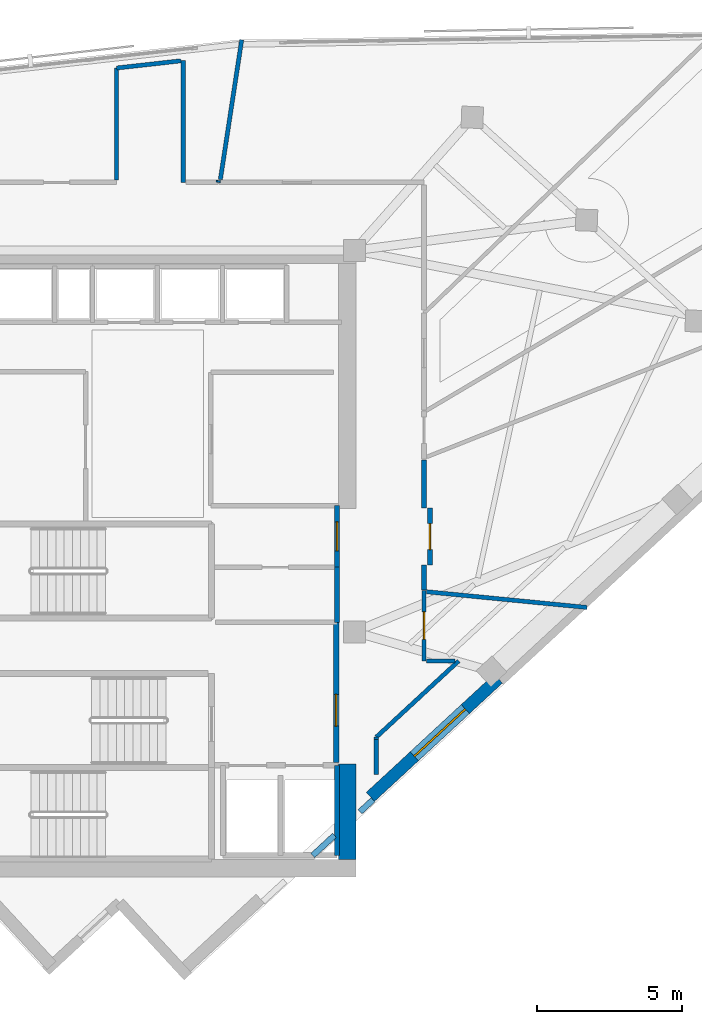
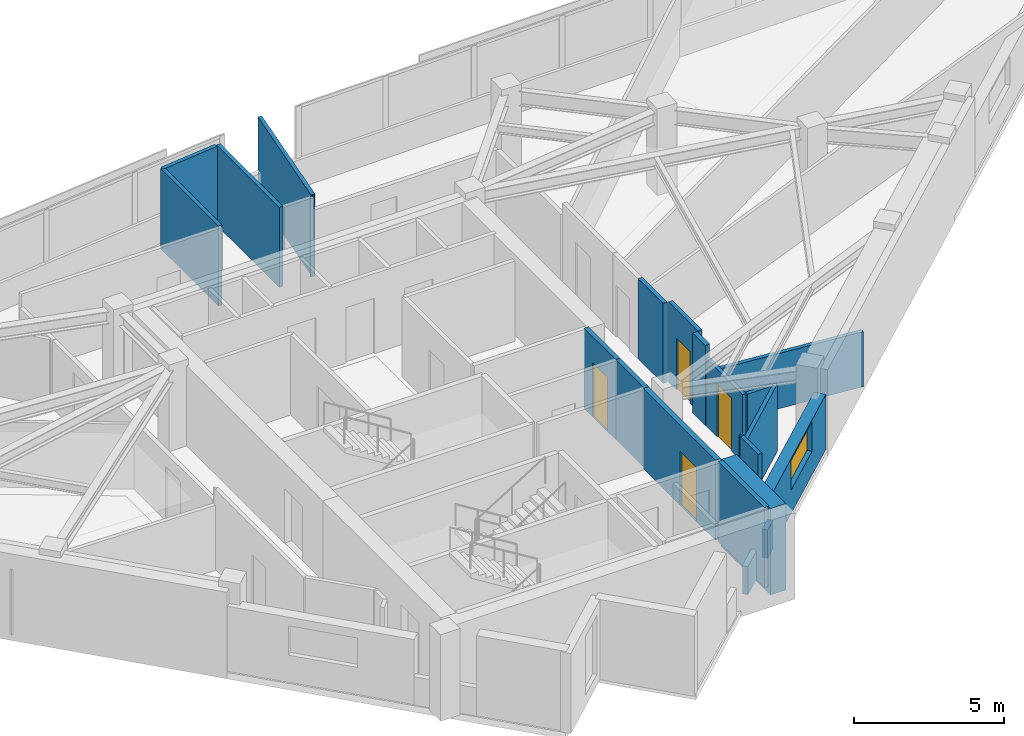
# One storey, part 10 of 13: 22 walls, 4 doors, 1 window, 5 openings.
"""IFC4 building model written with IfcOpenShell, lengths in metres."""

from ifc_helpers import new_model, si_unit, direction, frame, frame_2d, origin, place, context, subcontext, project, spatial, rectangle, extrude, material, layer, layer_set, type_object, element, fill, save


model = new_model("IFC4")

# Units and contexts
model_context = context("Model", 3, precision=1e-05, world=origin(), true_north=direction((0.0, 1.0)))
body_context = subcontext(model_context, "Body", "Model", "MODEL_VIEW")
ifc_project = project(units=[si_unit("LENGTHUNIT", "METRE"), si_unit("AREAUNIT", "SQUARE_METRE"), si_unit("VOLUMEUNIT", "CUBIC_METRE"), si_unit("PLANEANGLEUNIT", "RADIAN"), si_unit("MASSUNIT", "GRAM", prefix="KILO")], contexts=[model_context])

# Site, building, storey
site_placement = place(None, origin())
site = spatial("IfcSite", under=ifc_project, at=site_placement, CompositionType="ELEMENT")
building_placement = place(site_placement, origin())
building = spatial("IfcBuilding", under=site, at=building_placement, Name="Narakoshi Arena Tower", CompositionType="ELEMENT")
storey_placement = place(building_placement, frame((0.0, 0.0, 274.820068359375)))
storey = spatial("IfcBuildingStorey", under=building, at=storey_placement, Name="L75", CompositionType="ELEMENT", Elevation=274.820068359375)

# Wall
ifc_material_1 = material(Name="Concrete C50/60", Category="concrete")
ifc_layer_1 = layer(ifc_material_1, 0.60009765625)
ifc_layer_set_1 = layer_set([ifc_layer_1], Name="Concrete C50/60")
wall_type_1 = type_object("IfcWallType", Name="WL-CORE-600", PredefinedType="SHEAR", material=ifc_layer_set_1)
wall_1_placement = place(storey_placement, frame((85.300048828125, 35.5, -0.260009765625), z_axis=(0.0, 0.0, 1.0), x_axis=(0.0, 1.0, 0.0)))
element("IfcWall", 1, at=wall_1_placement, inside=storey, type_object=wall_type_1, Name="L75 Central Core Shear Wall CW-APX-E", PredefinedType="SHEAR", context=body_context, shape_type="SweptSolid", body=[
    extrude(rectangle(XDim=3.300048828125, YDim=0.60009765625, at=frame_2d((1.64990234375, 0.0))), origin(), (0.0, 0.0, 1.0), 3.52001953125),
])

# Wall, opening, door
ifc_material_2 = material(Name="Gypsum plasterboard fire-rated partition")
ifc_layer_2 = layer(ifc_material_2, 0.1650390625)
ifc_layer_set_2 = layer_set([ifc_layer_2], Name="Gypsum plasterboard fire-rated partition")
wall_type_2 = type_object("IfcWallType", Name="WL-CORR-165", PredefinedType="PARTITIONING", material=ifc_layer_set_2)
wall_2_placement = place(storey_placement, frame((84.949951171875, 45.580078125, 0.0), z_axis=(0.0, 0.0, 1.0), x_axis=(0.0, 1.0, 0.0)))
wall_2 = element("IfcWall", 2, at=wall_2_placement, inside=storey, type_object=wall_type_2, Name="L75 Core Wall CPAS-E", PredefinedType="PARTITIONING", context=body_context, shape_type="SweptSolid", body=[
    extrude(rectangle(XDim=2.119873046875, YDim=0.1650390625, at=frame_2d((1.06005859375, 0.0))), origin(), (0.0, 0.0, 1.0), 3.260009765625),
])
opening_1_placement = place(wall_2_placement, frame((0.56005859375, 0.0, 0.0)))
opening_1 = element("IfcOpeningElement", 3, at=opening_1_placement, cuts=wall_2, Name="Opening D-06", PredefinedType="OPENING", context=body_context, shape_type="SweptSolid", body=[
    extrude(rectangle(XDim=1.0, YDim=2.199951171875, at=frame_2d((0.5, 1.10009765625))), frame((0.0, 0.092529296875, 0.0), z_axis=(0.0, -1.0, 0.0), x_axis=(1.0, 0.0, 0.0)), (0.0, 0.0, 1.0), 0.18505859375),
])
ifc_material_3 = material(Name="Stained oak solid-core timber", Category="wood")
door_type_1 = type_object("IfcDoorType", Name="DR-OFF-1000", OperationType="NOTDEFINED", PredefinedType="DOOR", material=ifc_material_3)
door_1_placement = place(opening_1_placement, frame((1.0, 0.0, 0.0), z_axis=(0.0, 0.0, 1.0), x_axis=(-1.0, 0.0, 0.0)))
door_1 = element("IfcDoor", 4, at=door_1_placement, inside=storey, type_object=door_type_1, Name="DR-L75-007", OperationType="SINGLE_SWING_LEFT", OverallHeight=2.199951171875, OverallWidth=1.0, PredefinedType="DOOR", context=body_context, shape_type="SweptSolid", body=[
    extrude(rectangle(XDim=1.0, YDim=2.199951171875, at=frame_2d((0.5, 1.10009765625))), frame((0.0, 0.02490234375, 0.0), z_axis=(0.0, -1.0, 0.0), x_axis=(1.0, 0.0, 0.0)), (0.0, 0.0, 1.0), 0.050048828125),
])
fill(opening_1, door_1)

wall_3_placement = place(storey_placement, frame((88.14990234375, 45.64990234375, 0.0), z_axis=(0.0, 0.0, 1.0), x_axis=(0.0, 1.0, 0.0)))
wall_3 = element("IfcWall", 5, at=wall_3_placement, inside=storey, type_object=wall_type_2, Name="L75 Corridor Partition 04-1", PredefinedType="PARTITIONING", context=body_context, shape_type="SweptSolid", body=[
    extrude(rectangle(XDim=1.97021484375, YDim=0.1650390625, at=frame_2d((0.985107421875, 0.0))), origin(), (0.0, 0.0, 1.0), 3.260009765625),
])
opening_2_placement = place(wall_3_placement, frame((0.534912109375, 0.0, 0.0)))
opening_2 = element("IfcOpeningElement", 6, at=opening_2_placement, cuts=wall_3, Name="Opening D-08", PredefinedType="OPENING", context=body_context, shape_type="SweptSolid", body=[
    extrude(rectangle(XDim=0.89990234375, YDim=2.10009765625, at=frame_2d((0.449951171875, 1.050048828125))), frame((0.0, 0.092529296875, 0.0), z_axis=(0.0, -1.0, 0.0), x_axis=(1.0, 0.0, 0.0)), (0.0, 0.0, 1.0), 0.18505859375),
])
ifc_material_4 = material(Name="Moisture-resistant laminate timber", Category="wood")
door_type_2 = type_object("IfcDoorType", Name="DR-WC-900", OperationType="NOTDEFINED", PredefinedType="DOOR", material=ifc_material_4)
door_2_placement = place(opening_2_placement, frame((0.89990234375, 0.0, 0.0), z_axis=(0.0, 0.0, 1.0), x_axis=(-1.0, 0.0, 0.0)))
door_2 = element("IfcDoor", 7, at=door_2_placement, inside=storey, type_object=door_type_2, Name="DR-L75-017", OperationType="SINGLE_SWING_RIGHT", OverallHeight=2.10009765625, OverallWidth=0.89990234375, PredefinedType="DOOR", context=body_context, shape_type="SweptSolid", body=[
    extrude(rectangle(XDim=0.89990234375, YDim=2.10009765625, at=frame_2d((0.449951171875, 1.050048828125))), frame((0.0, 0.02490234375, 0.0), z_axis=(0.0, -1.0, 0.0), x_axis=(1.0, 0.0, 0.0)), (0.0, 0.0, 1.0), 0.050048828125),
])
fill(opening_2, door_2)

# Walls
wall_4_placement = place(storey_placement, frame((87.949951171875, 47.6201171875, 0.0), z_axis=(0.0, 0.0, 1.0), x_axis=(0.0, 1.0, 0.0)))
element("IfcWall", 8, at=wall_4_placement, inside=storey, type_object=wall_type_2, Name="L75 Corridor Partition 04-2", PredefinedType="PARTITIONING", context=body_context, shape_type="SweptSolid", body=[
    extrude(rectangle(XDim=1.66064453125, YDim=0.1650390625, at=frame_2d((0.830322265625, 0.0))), origin(), (0.0, 0.0, 1.0), 3.260009765625),
])
wall_5_placement = place(storey_placement, frame((87.949951171875, 44.803466796875, 0.0), z_axis=(0.0, 0.0, 1.0), x_axis=(0.0, 1.0, 0.0)))
element("IfcWall", 9, at=wall_5_placement, inside=storey, type_object=wall_type_2, Name="L75 Corridor Partition 04-3", PredefinedType="PARTITIONING", context=body_context, shape_type="SweptSolid", body=[
    extrude(rectangle(XDim=0.846435546875, YDim=0.1650390625, at=frame_2d((0.42333984375, 0.0))), origin(), (0.0, 0.0, 1.0), 3.260009765625),
])
ifc_material_5 = material(Name="Precast concrete C45/55", Category="concrete")
ifc_layer_3 = layer(ifc_material_5, 0.25)
ifc_layer_set_3 = layer_set([ifc_layer_3], Name="Precast concrete C45/55")
wall_type_3 = type_object("IfcWallType", Name="WL-PARA-250", PredefinedType="PARAPET", material=ifc_layer_set_3)
wall_6_placement = place(storey_placement, frame((86.191650390625, 37.56591796875, 0.0), z_axis=(0.0, 0.0, 1.0), x_axis=(-0.734346728958, -0.678774544064, 0.0)))
element("IfcWall", 10, at=wall_6_placement, inside=storey, type_object=wall_type_3, Name="L75 Crown Sill Upstand Parapet 03", PredefinedType="PARAPET", context=body_context, shape_type="SweptSolid", body=[
    extrude(rectangle(XDim=0.614990234375, YDim=0.199951171875, at=frame_2d((0.3076171875, 0.0))), origin(), (0.0, 0.0, 1.0), 1.14990234375),
])
wall_7_placement = place(storey_placement, frame((84.860107421875, 36.3349609375, 0.0), z_axis=(0.0, 0.0, 1.0), x_axis=(-0.734337093013, -0.678784968768, 0.0)))
element("IfcWall", 11, at=wall_7_placement, inside=storey, type_object=wall_type_3, Name="L75 Crown Sill Upstand Parapet 04", PredefinedType="PARAPET", context=body_context, shape_type="SweptSolid", body=[
    extrude(rectangle(XDim=1.02392578125, YDim=0.199951171875, at=frame_2d((0.511962890625, 0.0))), origin(), (0.0, 0.0, 1.0), 1.14990234375),
])

# Wall, opening, window
ifc_layer_4 = layer(ifc_material_5, 0.419921875)
ifc_layer_set_4 = layer_set([ifc_layer_4], Name="Precast concrete C45/55")
wall_type_4 = type_object("IfcWallType", Name="WL-POD-420", PredefinedType="SOLIDWALL", material=ifc_layer_set_4)
wall_8_placement = place(storey_placement, frame((86.10009765625, 37.6650390625, 0.0), z_axis=(0.0, 0.0, 1.0), x_axis=(0.734321413343, 0.678801931277, 0.0)))
wall_8 = element("IfcWall", 12, at=wall_8_placement, inside=storey, type_object=wall_type_4, Name="L75 Architectural Concrete Facade Wall LEGA-2", PredefinedType="SOLIDWALL", context=body_context, shape_type="SweptSolid", body=[
    extrude(rectangle(XDim=6.00244140625, YDim=0.419921875, at=frame_2d((3.001220703125, 0.0))), origin(), (0.0, 0.0, 1.0), 2.244873046875),
])
opening_3_placement = place(wall_8_placement, frame((2.05712890625, 0.0, 0.965087890625)))
opening_3 = element("IfcOpeningElement", 13, at=opening_3_placement, cuts=wall_8, Name="Opening WN-04", PredefinedType="OPENING", context=body_context, shape_type="SweptSolid", body=[
    extrude(rectangle(XDim=2.39990234375, YDim=1.199951171875, at=frame_2d((1.199951171875, 0.60009765625))), frame((0.0, 0.219970703125, 0.0), z_axis=(0.0, -1.0, 0.0), x_axis=(1.0, 0.0, 0.0)), (0.0, 0.0, 1.0), 0.43994140625),
])
ifc_material_6 = material(Name="Bronze-tinted low-E laminated glass", Category="glass")
window_type = type_object("IfcWindowType", Name="WIN-SLT-24x12", PartitioningType="SINGLE_PANEL", PredefinedType="WINDOW", material=ifc_material_6)
window_placement = place(opening_3_placement, origin())
window = element("IfcWindow", 14, at=window_placement, inside=storey, type_object=window_type, Name="L75 LEGA2 Horizontal Slot Window 1", OverallHeight=1.199951171875, OverallWidth=2.39990234375, PartitioningType="SINGLE_PANEL", PredefinedType="WINDOW", context=body_context, shape_type="SweptSolid", body=[
    extrude(rectangle(XDim=2.39990234375, YDim=1.199951171875, at=frame_2d((1.199951171875, 0.60009765625))), frame((0.0, 0.030029296875, 0.0), z_axis=(0.0, -1.0, 0.0), x_axis=(1.0, 0.0, 0.0)), (0.0, 0.0, 1.0), 0.06005859375),
])
fill(opening_3, window)

# Walls
ifc_material_7 = material(Name="Concrete C40/50", Category="concrete")
ifc_layer_5 = layer(ifc_material_7, 0.280029296875)
ifc_layer_set_5 = layer_set([ifc_layer_5], Name="Concrete C40/50")
wall_type_5 = type_object("IfcWallType", Name="WL-RISER-280", PredefinedType="PLUMBINGWALL", material=ifc_layer_set_5)
wall_9_placement = place(storey_placement, frame((84.949951171875, 43.679931640625, 0.0), z_axis=(0.0, 0.0, 1.0), x_axis=(0.0, 1.0, 0.0)))
element("IfcWall", 15, at=wall_9_placement, inside=storey, type_object=wall_type_5, Name="L75 Core Wall RSR-E", PredefinedType="PLUMBINGWALL", context=body_context, shape_type="SweptSolid", body=[
    extrude(rectangle(XDim=1.900146484375, YDim=0.1650390625, at=frame_2d((0.9501953125, 0.0))), origin(), (0.0, 0.0, 1.0), 3.260009765625),
])
ifc_layer_6 = layer(ifc_material_1, 0.35009765625)
ifc_layer_set_6 = layer_set([ifc_layer_6], Name="Concrete C50/60")
wall_type_6 = type_object("IfcWallType", Name="WL-SHAFT-350", PredefinedType="SOLIDWALL", material=ifc_layer_set_6)
wall_10_placement = place(storey_placement, frame((84.949951171875, 35.64990234375, 0.0), z_axis=(0.0, 0.0, 1.0), x_axis=(0.0, 1.0, 0.0)))
element("IfcWall", 16, at=wall_10_placement, inside=storey, type_object=wall_type_6, Name="L75 Core Wall FF-E", PredefinedType="SOLIDWALL", context=body_context, shape_type="SweptSolid", body=[
    extrude(rectangle(XDim=3.10009765625, YDim=0.179931640625, at=frame_2d((1.550048828125, 0.0))), origin(), (0.0, 0.0, 1.0), 3.260009765625),
])

# Wall, opening, door
wall_11_placement = place(storey_placement, frame((84.919921875, 38.85009765625, 0.0), z_axis=(0.0, 0.0, 1.0), x_axis=(0.0, 1.0, 0.0)))
wall_11 = element("IfcWall", 17, at=wall_11_placement, inside=storey, type_object=wall_type_6, Name="L75 Core Wall FFLOB-E", PredefinedType="SOLIDWALL", context=body_context, shape_type="SweptSolid", body=[
    extrude(rectangle(XDim=4.829833984375, YDim=0.199951171875, at=frame_2d((2.4150390625, 0.0))), origin(), (0.0, 0.0, 1.0), 3.260009765625),
])
opening_4_placement = place(wall_11_placement, frame((1.25, 0.0, 0.0)))
opening_4 = element("IfcOpeningElement", 18, at=opening_4_placement, cuts=wall_11, Name="Opening D-04", PredefinedType="OPENING", context=body_context, shape_type="SweptSolid", body=[
    extrude(rectangle(XDim=1.10009765625, YDim=2.199951171875, at=frame_2d((0.550048828125, 1.10009765625))), frame((0.0, 0.10986328125, 0.0), z_axis=(0.0, -1.0, 0.0), x_axis=(1.0, 0.0, 0.0)), (0.0, 0.0, 1.0), 0.219970703125),
])
ifc_material_8 = material(Name="Painted galvanized steel", Category="steel")
door_type_3 = type_object("IfcDoorType", Name="DR-FFL-1100", OperationType="NOTDEFINED", PredefinedType="DOOR", material=ifc_material_8)
door_3_placement = place(opening_4_placement, frame((1.10009765625, 0.0, 0.0), z_axis=(0.0, 0.0, 1.0), x_axis=(-1.0, 0.0, 0.0)))
door_3 = element("IfcDoor", 19, at=door_3_placement, inside=storey, type_object=door_type_3, Name="DR-L75-005", OperationType="SINGLE_SWING_RIGHT", OverallHeight=2.199951171875, OverallWidth=1.10009765625, PredefinedType="DOOR", context=body_context, shape_type="SweptSolid", body=[
    extrude(rectangle(XDim=1.10009765625, YDim=2.199951171875, at=frame_2d((0.550048828125, 1.10009765625))), frame((0.0, 0.02490234375, 0.0), z_axis=(0.0, -1.0, 0.0), x_axis=(1.0, 0.0, 0.0)), (0.0, 0.0, 1.0), 0.050048828125),
])
fill(opening_4, door_3)

# Wall
ifc_material_9 = material(Name="Moisture-resistant cement-board partition")
ifc_layer_7 = layer(ifc_material_9, 0.14501953125)
ifc_layer_set_7 = layer_set([ifc_layer_7], Name="Moisture-resistant cement-board partition")
wall_type_7 = type_object("IfcWallType", Name="WL-WET-145", PredefinedType="PARTITIONING", material=ifc_layer_set_7)
wall_12_placement = place(storey_placement, frame((86.300048828125, 39.722412109375, 0.0), z_axis=(0.0, 0.0, 1.0), x_axis=(0.734312402088, 0.678811679436, 0.0)))
element("IfcWall", 20, at=wall_12_placement, inside=storey, type_object=wall_type_7, Name="L75 Corridor Partition 02-1", PredefinedType="PARTITIONING", context=body_context, shape_type="SweptSolid", body=[
    extrude(rectangle(XDim=3.87109375, YDim=0.14501953125, at=frame_2d((1.935546875, 0.0))), origin(), (0.0, 0.0, 1.0), 2.744873046875),
])

# Wall, opening, door
wall_13_placement = place(storey_placement, frame((87.949951171875, 42.35009765625, 0.0), z_axis=(0.0, 0.0, 1.0), x_axis=(0.0, 1.0, 0.0)))
wall_13 = element("IfcWall", 21, at=wall_13_placement, inside=storey, type_object=wall_type_7, Name="L75 Corridor Partition 02-2", PredefinedType="PARTITIONING", context=body_context, shape_type="SweptSolid", body=[
    extrude(rectangle(XDim=2.42919921875, YDim=0.14501953125, at=frame_2d((1.214599609375, 0.0))), origin(), (0.0, 0.0, 1.0), 2.744873046875),
])
opening_5_placement = place(wall_13_placement, frame((0.73974609375, 0.0, 0.0)))
opening_5 = element("IfcOpeningElement", 22, at=opening_5_placement, cuts=wall_13, Name="Opening D-07", PredefinedType="OPENING", context=body_context, shape_type="SweptSolid", body=[
    extrude(rectangle(XDim=0.949951171875, YDim=2.14990234375, at=frame_2d((0.47509765625, 1.074951171875))), frame((0.0, 0.08251953125, 0.0), z_axis=(0.0, -1.0, 0.0), x_axis=(1.0, 0.0, 0.0)), (0.0, 0.0, 1.0), 0.1650390625),
])
door_type_4 = type_object("IfcDoorType", Name="DR-ACC-950", OperationType="NOTDEFINED", PredefinedType="DOOR", material=ifc_material_3)
door_4_placement = place(opening_5_placement, frame((0.949951171875, 0.0, 0.0), z_axis=(0.0, 0.0, 1.0), x_axis=(-1.0, 0.0, 0.0)))
door_4 = element("IfcDoor", 23, at=door_4_placement, inside=storey, type_object=door_type_4, Name="DR-L75-015", OperationType="SINGLE_SWING_RIGHT", OverallHeight=2.14990234375, OverallWidth=0.949951171875, PredefinedType="DOOR", context=body_context, shape_type="SweptSolid", body=[
    extrude(rectangle(XDim=0.949951171875, YDim=2.14990234375, at=frame_2d((0.47509765625, 1.074951171875))), frame((0.0, 0.02490234375, 0.0), z_axis=(0.0, -1.0, 0.0), x_axis=(1.0, 0.0, 0.0)), (0.0, 0.0, 1.0), 0.050048828125),
])
fill(opening_5, door_4)

# Walls
wall_14_placement = place(storey_placement, frame((89.01806640625, 42.35009765625, 0.0), z_axis=(0.0, 0.0, 1.0), x_axis=(-1.0, 0.0, 0.0)))
element("IfcWall", 24, at=wall_14_placement, inside=storey, type_object=wall_type_7, Name="L75 Corridor Partition 02-3", PredefinedType="PARTITIONING", context=body_context, shape_type="SweptSolid", body=[
    extrude(rectangle(XDim=0.983642578125, YDim=0.14501953125, at=frame_2d((0.49169921875, 0.0))), origin(), (0.0, 0.0, 1.0), 2.744873046875),
])
wall_15_placement = place(storey_placement, frame((86.300048828125, 39.640625, 0.0), z_axis=(0.0, 0.0, 1.0), x_axis=(0.0, 1.0, 0.0)))
element("IfcWall", 25, at=wall_15_placement, inside=storey, type_object=wall_type_7, Name="L75 Corridor Partition 02-4", PredefinedType="PARTITIONING", context=body_context, shape_type="SweptSolid", body=[
    extrude(rectangle(XDim=0.081787109375, YDim=0.14501953125, at=frame_2d((0.041015625, 0.0))), origin(), (0.0, 0.0, 1.0), 3.260009765625),
])
wall_16_placement = place(storey_placement, frame((88.034423828125, 44.73486328125, 0.0), z_axis=(0.0, 0.0, 1.0), x_axis=(0.995235630375, -0.097498923235, 0.0)))
element("IfcWall", 26, at=wall_16_placement, inside=storey, type_object=wall_type_7, Name="L75 Inter-Room Partition 02-04", PredefinedType="PARTITIONING", context=body_context, shape_type="SweptSolid", body=[
    extrude(rectangle(XDim=5.558837890625, YDim=0.14501953125, at=frame_2d((2.779296875, 0.0))), origin(), (0.0, 0.0, 1.0), 2.244873046875),
])
wall_17_placement = place(storey_placement, frame((80.926025390625, 58.944580078125, 0.0), z_axis=(0.0, 0.0, 1.0), x_axis=(0.150954727581, 0.988540677069, 0.0)))
element("IfcWall", 27, at=wall_17_placement, inside=storey, type_object=wall_type_7, Name="L75 Inter-Room Partition 06-07", PredefinedType="PARTITIONING", context=body_context, shape_type="SweptSolid", body=[
    extrude(rectangle(XDim=4.876220703125, YDim=0.14501953125, at=frame_2d((2.43798828125, 0.0))), origin(), (0.0, 0.0, 1.0), 3.260009765625),
])
wall_18_placement = place(storey_placement, frame((79.64990234375, 58.85009765625, 0.0), z_axis=(0.0, 0.0, 1.0), x_axis=(0.0, 1.0, 0.0)))
element("IfcWall", 28, at=wall_18_placement, inside=storey, type_object=wall_type_7, Name="L75 Corridor Partition 07-2", PredefinedType="PARTITIONING", context=body_context, shape_type="SweptSolid", body=[
    extrude(rectangle(XDim=4.19775390625, YDim=0.14501953125, at=frame_2d((2.098876953125, 0.0))), origin(), (0.0, 0.0, 1.0), 3.260009765625),
])
wall_19_placement = place(storey_placement, frame((77.35009765625, 62.7900390625, 0.0), z_axis=(0.0, 0.0, 1.0), x_axis=(0.0, -1.0, 0.0)))
element("IfcWall", 29, at=wall_19_placement, inside=storey, type_object=wall_type_7, Name="L75 Corridor Partition 07-3", PredefinedType="PARTITIONING", context=body_context, shape_type="SweptSolid", body=[
    extrude(rectangle(XDim=3.85546875, YDim=0.14501953125, at=frame_2d((1.927734375, 0.0))), origin(), (0.0, 0.0, 1.0), 3.260009765625),
])
wall_20_placement = place(storey_placement, frame((79.5654296875, 63.038330078125, 0.0), z_axis=(0.0, 0.0, 1.0), x_axis=(-0.993777768559, -0.111381087792, 0.0)))
element("IfcWall", 30, at=wall_20_placement, inside=storey, type_object=wall_type_7, Name="L75 Corridor Partition 07-4", PredefinedType="PARTITIONING", context=body_context, shape_type="SweptSolid", body=[
    extrude(rectangle(XDim=2.229248046875, YDim=0.14501953125, at=frame_2d((1.11474609375, 0.0))), origin(), (0.0, 0.0, 1.0), 3.260009765625),
])
wall_21_placement = place(storey_placement, frame((80.860107421875, 58.909912109375, 0.0), z_axis=(0.0, 0.0, 1.0), x_axis=(-0.153269423072, -0.988184438226, 0.0)))
element("IfcWall", 31, at=wall_21_placement, inside=storey, type_object=wall_type_7, Name="L75 Corridor Partition 07-7", PredefinedType="PARTITIONING", context=body_context, shape_type="SweptSolid", body=[
    extrude(rectangle(XDim=0.060546875, YDim=0.14501953125, at=frame_2d((0.0302734375, 0.0))), origin(), (0.0, 0.0, 1.0), 3.260009765625),
])
wall_22_placement = place(storey_placement, frame((86.300048828125, 38.435546875, 0.0), z_axis=(0.0, 0.0, 1.0), x_axis=(0.0, 1.0, 0.0)))
element("IfcWall", 32, at=wall_22_placement, inside=storey, type_object=wall_type_7, Name="L75 Room Enclosure Partition 02-1", PredefinedType="PARTITIONING", context=body_context, shape_type="SweptSolid", body=[
    extrude(rectangle(XDim=1.205078125, YDim=0.14501953125, at=frame_2d((0.6025390625, 0.0))), origin(), (0.0, 0.0, 1.0), 3.260009765625),
])

save(model, "model.ifc")
